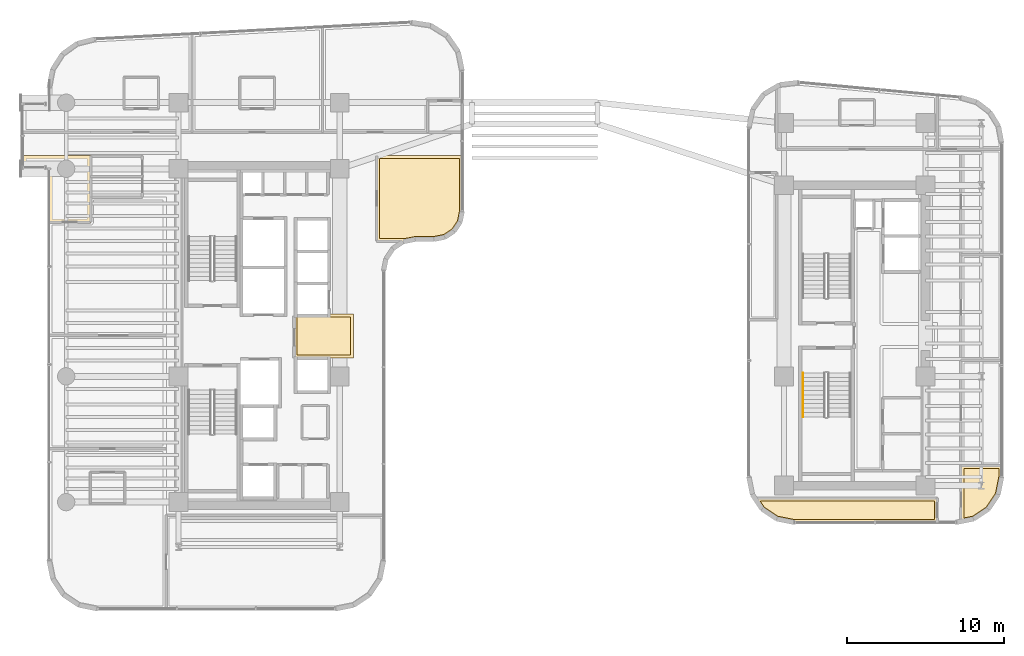
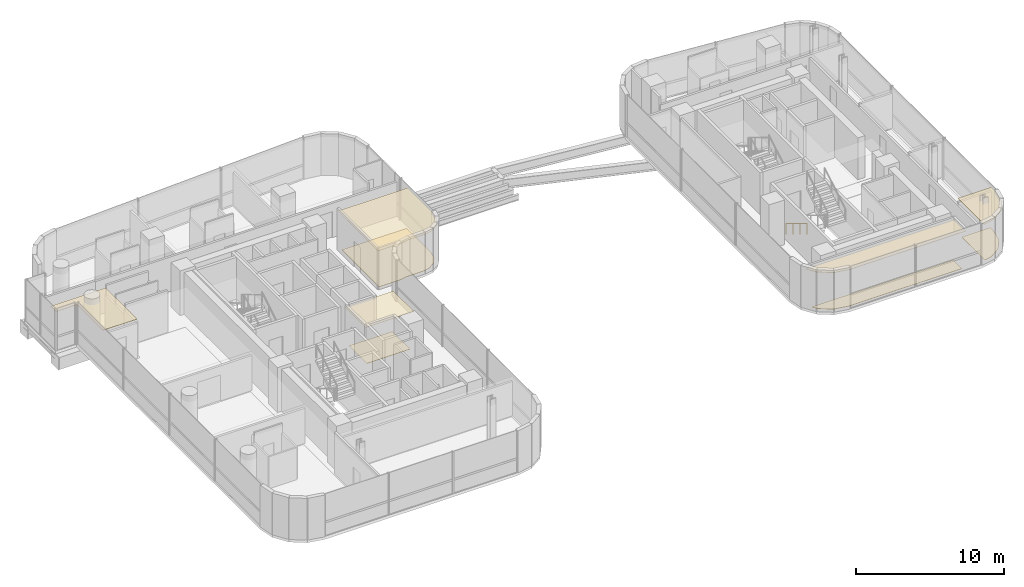
# One storey, part 34 of 36: 9 coverings, 1 railing.
"""IFC4 building model written with IfcOpenShell, lengths in metres."""

from ifc_helpers import new_model, si_unit, direction, frame, origin, origin_2d, place, context, subcontext, project, spatial, polyline, circle, outline, extrude, material, layer, layer_set, type_object, element, save


model = new_model("IFC4")

# Units and contexts
model_context = context("Model", 3, precision=1e-05, world=origin(), true_north=direction((0.0, 1.0)))
body_context = subcontext(model_context, "Body", "Model", "MODEL_VIEW")
ifc_project = project(units=[si_unit("LENGTHUNIT", "METRE"), si_unit("AREAUNIT", "SQUARE_METRE"), si_unit("VOLUMEUNIT", "CUBIC_METRE"), si_unit("PLANEANGLEUNIT", "RADIAN"), si_unit("MASSUNIT", "GRAM", prefix="KILO")], contexts=[model_context])

# Site, building, storey
site_placement = place(None, origin())
site = spatial("IfcSite", under=ifc_project, at=site_placement, CompositionType="ELEMENT")
building_placement = place(site_placement, origin())
building = spatial("IfcBuilding", under=site, at=building_placement, Name="Valdorenza Pilgrim Sanctuary Tower", CompositionType="ELEMENT")
storey_placement = place(building_placement, frame((0.0, 0.0, 153.800048828125)))
storey = spatial("IfcBuildingStorey", under=building, at=storey_placement, Name="L39", CompositionType="ELEMENT", Elevation=153.800048828125)

# Coverings
ifc_material_1 = material(Name="Micro-perforated acoustic mineral ceiling tile", Category="gypsum")
ifc_layer_1 = layer(ifc_material_1, 0.02490234375, Name="Micro-perforated acoustic mineral ceiling tile")
ifc_layer_set_1 = layer_set([ifc_layer_1], Name="Micro-perforated acoustic mineral ceiling tile")
covering_type_1 = type_object("IfcCoveringType", Name="COV-CLG-ACU", PredefinedType="CEILING", material=ifc_layer_set_1)
covering_1_placement = place(storey_placement, frame((0.0, 0.0, 3.159912109375)))
element("IfcCovering", 1, at=covering_1_placement, inside=storey, type_object=covering_type_1, Name="L39 Core A Passenger Lift Lobby Acoustic Ceiling", PredefinedType="CEILING", context=body_context, shape_type="SweptSolid", body=[
    extrude(outline(polyline([(-15.31298828125, 1.244384765625), (-15.31298828125, 1.24462890625), (-15.313720703125, 1.24609375), (-15.314208984375, 1.24755859375), (-15.314697265625, 1.2490234375), (-15.31494140625, 1.25048828125), (-15.31494140625, 1.251953125), (-15.31494140625, 1.35009765625), (-15.31494140625, 1.3515625), (-15.314697265625, 1.352783203125), (-15.314453125, 1.3544921875), (-15.31396484375, 1.355712890625), (-15.313232421875, 1.357177734375), (-15.3125, 1.3583984375), (-15.3115234375, 1.359619140625), (-15.310546875, 1.360595703125), (-15.3095703125, 1.361572265625), (-15.308349609375, 1.362548828125), (-15.30712890625, 1.36328125), (-15.3056640625, 1.364013671875), (-15.304443359375, 1.364501953125), (-15.302978515625, 1.36474609375), (-15.301513671875, 1.364990234375), (-15.300048828125, 1.364990234375), (-15.10205078125, 1.364990234375), (-15.1005859375, 1.364990234375), (-15.09912109375, 1.36474609375), (-15.097412109375, 1.3642578125), (-15.09619140625, 1.36376953125), (-15.0947265625, 1.363037109375), (-15.094482421875, 1.363037109375), (-13.185546875, 1.363037109375), (-13.185302734375, 1.363037109375), (-13.183837890625, 1.36376953125), (-13.1826171875, 1.3642578125), (-13.180908203125, 1.36474609375), (-13.179443359375, 1.364990234375), (-13.177978515625, 1.364990234375), (-11.550048828125, 1.364990234375), (-11.548583984375, 1.364990234375), (-11.547119140625, 1.36474609375), (-11.545654296875, 1.364501953125), (-11.544189453125, 1.364013671875), (-11.54296875, 1.36328125), (-11.541748046875, 1.362548828125), (-11.54052734375, 1.361572265625), (-11.539306640625, 1.360595703125), (-11.538330078125, 1.359619140625), (-11.53759765625, 1.3583984375), (-11.536865234375, 1.357177734375), (-11.5361328125, 1.355712890625), (-11.53564453125, 1.3544921875), (-11.535400390625, 1.352783203125), (-11.53515625, 1.3515625), (-11.534912109375, 1.35009765625), (-11.534912109375, -1.419921875), (-11.53515625, -1.42138671875), (-11.535400390625, -1.4228515625), (-11.53564453125, -1.42431640625), (-11.5361328125, -1.42578125), (-11.536865234375, -1.427001953125), (-11.53759765625, -1.42822265625), (-11.538330078125, -1.429443359375), (-11.539306640625, -1.4306640625), (-11.54052734375, -1.431640625), (-11.541748046875, -1.4326171875), (-11.54296875, -1.43310546875), (-11.544189453125, -1.433837890625), (-11.545654296875, -1.434326171875), (-11.547119140625, -1.434814453125), (-11.548583984375, -1.434814453125), (-11.550048828125, -1.43505859375), (-15.298095703125, -1.43505859375), (-15.299560546875, -1.434814453125), (-15.30078125, -1.434814453125), (-15.302490234375, -1.434326171875), (-15.3037109375, -1.433837890625), (-15.30517578125, -1.43310546875), (-15.306396484375, -1.4326171875), (-15.3076171875, -1.431640625), (-15.30859375, -1.4306640625), (-15.3095703125, -1.429443359375), (-15.310546875, -1.42822265625), (-15.311279296875, -1.427001953125), (-15.31201171875, -1.42578125), (-15.3125, -1.42431640625), (-15.312744140625, -1.4228515625), (-15.31298828125, -1.42138671875), (-15.31298828125, -1.419921875), (-15.31298828125, 1.244384765625)])), origin(), (0.0, 0.0, 1.0), 0.025146484375),
])
covering_2_placement = place(storey_placement, frame((0.0, 0.0, 3.159912109375)))
element("IfcCovering", 2, at=covering_2_placement, inside=storey, type_object=covering_type_1, Name="L39 Pastoral Scholar Office L39-CN1 Acoustic Ceiling", PredefinedType="CEILING", context=body_context, shape_type="SweptSolid", body=[
    extrude(outline(polyline([(-28.237060546875, 8.805419921875), (-28.23681640625, 8.805419921875), (-28.236083984375, 8.803955078125), (-28.235595703125, 8.802490234375), (-28.2353515625, 8.801025390625), (-28.235107421875, 8.799560546875), (-28.235107421875, 8.798095703125), (-28.235107421875, 7.199951171875), (-28.235107421875, 7.198486328125), (-28.2353515625, 7.197021484375), (-28.235595703125, 7.195556640625), (-28.236083984375, 7.1943359375), (-28.23681640625, 7.19287109375), (-28.237548828125, 7.191650390625), (-28.23828125, 7.1904296875), (-28.239501953125, 7.189453125), (-28.240478515625, 7.1884765625), (-28.24169921875, 7.1875), (-28.242919921875, 7.186767578125), (-28.244384765625, 7.18603515625), (-28.24560546875, 7.185546875), (-28.2470703125, 7.185302734375), (-28.24853515625, 7.18505859375), (-28.25, 7.18505859375), (-30.889892578125, 7.18505859375), (-30.8916015625, 7.18505859375), (-30.892822265625, 7.185302734375), (-30.894287109375, 7.185546875), (-30.895751953125, 7.18603515625), (-30.897216796875, 7.186767578125), (-30.898193359375, 7.1875), (-30.8994140625, 7.1884765625), (-30.900634765625, 7.189453125), (-30.901611328125, 7.1904296875), (-30.902587890625, 7.191650390625), (-30.9033203125, 7.19287109375), (-30.90380859375, 7.1943359375), (-30.904296875, 7.195556640625), (-30.90478515625, 7.197021484375), (-30.90478515625, 7.198486328125), (-30.905029296875, 7.199951171875), (-30.905029296875, 10.599609375), (-30.905517578125, 10.609375), (-30.90673828125, 10.618408203125), (-30.9091796875, 10.627685546875), (-30.912109375, 10.63623046875), (-30.916259765625, 10.644775390625), (-30.9208984375, 10.65283203125), (-30.926513671875, 10.660400390625), (-30.932861328125, 10.667236328125), (-30.939697265625, 10.67333984375), (-30.947265625, 10.678955078125), (-30.955078125, 10.683837890625), (-30.963623046875, 10.687744140625), (-30.972412109375, 10.69091796875), (-30.9814453125, 10.693115234375), (-30.99072265625, 10.694580078125), (-31.00048828125, 10.695068359375), (-32.5400390625, 10.695068359375), (-32.54150390625, 10.695068359375), (-32.54296875, 10.6953125), (-32.54443359375, 10.695556640625), (-32.545654296875, 10.696044921875), (-32.547119140625, 10.69677734375), (-32.54833984375, 10.697509765625), (-32.549560546875, 10.698486328125), (-32.550537109375, 10.699462890625), (-32.551513671875, 10.700439453125), (-32.552490234375, 10.70166015625), (-32.55322265625, 10.702880859375), (-32.553955078125, 10.704345703125), (-32.554443359375, 10.70556640625), (-32.5546875, 10.70703125), (-32.554931640625, 10.70849609375), (-32.554931640625, 10.7099609375), (-32.554931640625, 11.419921875), (-32.554931640625, 11.42138671875), (-32.5546875, 11.4228515625), (-32.554443359375, 11.42431640625), (-32.553955078125, 11.42578125), (-32.55322265625, 11.427001953125), (-32.552490234375, 11.42822265625), (-32.551513671875, 11.429443359375), (-32.550537109375, 11.4306640625), (-32.549560546875, 11.431640625), (-32.54833984375, 11.4326171875), (-32.547119140625, 11.43310546875), (-32.545654296875, 11.433837890625), (-32.54443359375, 11.434326171875), (-32.54296875, 11.434814453125), (-32.54150390625, 11.434814453125), (-32.5400390625, 11.43505859375), (-28.25, 11.43505859375), (-28.24853515625, 11.434814453125), (-28.2470703125, 11.434814453125), (-28.24560546875, 11.434326171875), (-28.244384765625, 11.433837890625), (-28.242919921875, 11.43310546875), (-28.24169921875, 11.4326171875), (-28.240478515625, 11.431640625), (-28.239501953125, 11.4306640625), (-28.23828125, 11.429443359375), (-28.237548828125, 11.42822265625), (-28.23681640625, 11.427001953125), (-28.236083984375, 11.42578125), (-28.235595703125, 11.42431640625), (-28.2353515625, 11.4228515625), (-28.235107421875, 11.42138671875), (-28.235107421875, 11.419921875), (-28.235107421875, 11.402099609375), (-28.235107421875, 11.400390625), (-28.2353515625, 11.39892578125), (-28.235595703125, 11.3974609375), (-28.236083984375, 11.39599609375), (-28.23681640625, 11.394775390625), (-28.237060546875, 11.39453125), (-28.237060546875, 10.103759765625), (-28.23681640625, 10.10302734375), (-28.23681640625, 10.1015625), (-28.23681640625, 10.10009765625), (-28.23681640625, 10.098388671875), (-28.237060546875, 10.09814453125), (-28.237060546875, 8.805419921875)])), origin(), (0.0, 0.0, 1.0), 0.025146484375),
])
covering_3_placement = place(storey_placement, frame((0.0, 0.0, 3.159912109375)))
element("IfcCovering", 3, at=covering_3_placement, inside=storey, type_object=covering_type_1, Name="L39 Sacred Art Exhibition Gallery L39-E1 Acoustic Ceiling", PredefinedType="CEILING", context=body_context, shape_type="SweptSolid", body=[
    extrude(outline(polyline([(-10.06494140625, 11.419921875), (-10.06494140625, 11.42138671875), (-10.064697265625, 11.4228515625), (-10.064453125, 11.42431640625), (-10.06396484375, 11.42578125), (-10.063232421875, 11.427001953125), (-10.0625, 11.42822265625), (-10.0615234375, 11.429443359375), (-10.060546875, 11.4306640625), (-10.0595703125, 11.431640625), (-10.058349609375, 11.4326171875), (-10.05712890625, 11.43310546875), (-10.0556640625, 11.433837890625), (-10.054443359375, 11.434326171875), (-10.052978515625, 11.434814453125), (-10.051513671875, 11.434814453125), (-10.050048828125, 11.43505859375), (-4.610107421875, 11.43505859375), (-4.6083984375, 11.434814453125), (-4.607177734375, 11.434814453125), (-4.605712890625, 11.434326171875), (-4.604248046875, 11.433837890625), (-4.602783203125, 11.43310546875), (-4.601806640625, 11.4326171875), (-4.6005859375, 11.431640625), (-4.599365234375, 11.4306640625), (-4.598388671875, 11.429443359375), (-4.597412109375, 11.42822265625), (-4.5966796875, 11.427001953125), (-4.59619140625, 11.42578125), (-4.595703125, 11.42431640625), (-4.59521484375, 11.4228515625), (-4.59521484375, 11.42138671875), (-4.594970703125, 11.419921875), (-4.594970703125, 7.910888671875), (-4.59521484375, 7.909423828125), (-4.59521484375, 7.907958984375), (-4.7333984375, 7.212890625), (-4.73388671875, 7.21142578125), (-4.734375, 7.210205078125), (-4.735107421875, 7.208740234375), (-4.735595703125, 7.20751953125), (-5.123291015625, 6.62744140625), (-5.124267578125, 6.626220703125), (-5.125244140625, 6.625244140625), (-5.126220703125, 6.624267578125), (-5.12744140625, 6.623291015625), (-5.70751953125, 6.235595703125), (-5.708740234375, 6.235107421875), (-5.710205078125, 6.234375), (-5.71142578125, 6.23388671875), (-5.712890625, 6.2333984375), (-6.407958984375, 6.09521484375), (-6.409423828125, 6.09521484375), (-6.410888671875, 6.094970703125), (-7.599609375, 6.094970703125), (-7.609375, 6.094482421875), (-7.618896484375, 6.093017578125), (-8.160888671875, 5.9853515625), (-8.16259765625, 5.985107421875), (-8.1640625, 5.985107421875), (-10.050048828125, 5.985107421875), (-10.051513671875, 5.985107421875), (-10.052978515625, 5.9853515625), (-10.054443359375, 5.985595703125), (-10.0556640625, 5.986083984375), (-10.05712890625, 5.98681640625), (-10.058349609375, 5.987548828125), (-10.0595703125, 5.98828125), (-10.060546875, 5.989501953125), (-10.0615234375, 5.990478515625), (-10.0625, 5.99169921875), (-10.063232421875, 5.992919921875), (-10.06396484375, 5.994384765625), (-10.064453125, 5.99560546875), (-10.064697265625, 5.9970703125), (-10.06494140625, 5.99853515625), (-10.06494140625, 6.0), (-10.06494140625, 11.419921875)])), origin(), (0.0, 0.0, 1.0), 0.025146484375),
])
covering_4_placement = place(storey_placement, frame((0.0, 0.0, 3.159912109375)))
element("IfcCovering", 4, at=covering_4_placement, inside=storey, type_object=covering_type_1, Name="L39 Sacred Manuscript Archive L39-BS Acoustic Ceiling", PredefinedType="CEILING", context=body_context, shape_type="SweptSolid", body=[
    extrude(outline(polyline([(25.614990234375, -11.889892578125), (25.614990234375, -11.8916015625), (25.61474609375, -11.892822265625), (25.614501953125, -11.894287109375), (25.614013671875, -11.895751953125), (25.61328125, -11.897216796875), (25.612548828125, -11.898193359375), (25.611572265625, -11.8994140625), (25.610595703125, -11.900634765625), (25.609619140625, -11.901611328125), (25.6083984375, -11.902587890625), (25.607177734375, -11.9033203125), (25.605712890625, -11.90380859375), (25.6044921875, -11.904296875), (25.602783203125, -11.90478515625), (25.6015625, -11.90478515625), (25.60009765625, -11.905029296875), (16.5107421875, -11.905029296875), (16.509521484375, -11.90478515625), (16.5078125, -11.90478515625), (15.391845703125, -11.6826171875), (15.390380859375, -11.682373046875), (15.38916015625, -11.681884765625), (15.3876953125, -11.68115234375), (15.386474609375, -11.680419921875), (14.44970703125, -11.054443359375), (14.448486328125, -11.0537109375), (14.447509765625, -11.052490234375), (14.4462890625, -11.051513671875), (14.445556640625, -11.05029296875), (13.983154296875, -10.3583984375), (13.982421875, -10.357177734375), (13.981689453125, -10.355712890625), (13.981201171875, -10.3544921875), (13.98095703125, -10.352783203125), (13.980712890625, -10.3515625), (13.980712890625, -10.35009765625), (13.980712890625, -10.348388671875), (13.98095703125, -10.34716796875), (13.981201171875, -10.345703125), (13.981689453125, -10.34423828125), (13.982421875, -10.343017578125), (13.983154296875, -10.341796875), (13.98388671875, -10.340576171875), (13.985107421875, -10.33935546875), (13.986083984375, -10.33837890625), (13.9873046875, -10.33740234375), (13.988525390625, -10.3369140625), (13.989990234375, -10.336181640625), (13.9912109375, -10.335693359375), (13.99267578125, -10.335205078125), (13.994140625, -10.335205078125), (13.99560546875, -10.3349609375), (25.60009765625, -10.3349609375), (25.6015625, -10.335205078125), (25.602783203125, -10.335205078125), (25.6044921875, -10.335693359375), (25.605712890625, -10.336181640625), (25.607177734375, -10.3369140625), (25.6083984375, -10.33740234375), (25.609619140625, -10.33837890625), (25.610595703125, -10.33935546875), (25.611572265625, -10.340576171875), (25.612548828125, -10.341796875), (25.61328125, -10.343017578125), (25.614013671875, -10.34423828125), (25.614501953125, -10.345703125), (25.61474609375, -10.34716796875), (25.614990234375, -10.348388671875), (25.614990234375, -10.35009765625), (25.614990234375, -11.889892578125)])), origin(), (0.0, 0.0, 1.0), 0.025146484375),
])
covering_5_placement = place(storey_placement, frame((0.0, 0.0, 3.159912109375)))
element("IfcCovering", 5, at=covering_5_placement, inside=storey, type_object=covering_type_1, Name="L39 East Sanctuary Scholar Office L39-EG1 Acoustic Ceiling", PredefinedType="CEILING", context=body_context, shape_type="SweptSolid", body=[
    extrude(outline(polyline([(29.482666015625, -10.108154296875), (29.482421875, -10.109619140625), (29.481689453125, -10.11083984375), (29.481201171875, -10.1123046875), (29.48046875, -10.113525390625), (28.8544921875, -11.05029296875), (28.853515625, -11.051513671875), (28.8525390625, -11.052490234375), (28.8515625, -11.0537109375), (28.850341796875, -11.054443359375), (27.91357421875, -11.680419921875), (27.912109375, -11.68115234375), (27.910888671875, -11.681884765625), (27.909423828125, -11.682373046875), (27.908203125, -11.6826171875), (27.102783203125, -11.843017578125), (27.1015625, -11.843017578125), (27.10009765625, -11.84326171875), (27.098388671875, -11.843017578125), (27.09716796875, -11.843017578125), (27.095703125, -11.842529296875), (27.09423828125, -11.842041015625), (27.093017578125, -11.84130859375), (27.091796875, -11.840576171875), (27.090576171875, -11.83984375), (27.08935546875, -11.8388671875), (27.08837890625, -11.837646484375), (27.08740234375, -11.83642578125), (27.0869140625, -11.835205078125), (27.086181640625, -11.833984375), (27.085693359375, -11.83251953125), (27.085205078125, -11.8310546875), (27.085205078125, -11.82958984375), (27.0849609375, -11.828125), (27.0849609375, -8.287109375), (27.085205078125, -8.285400390625), (27.085205078125, -8.2841796875), (27.085693359375, -8.28271484375), (27.086181640625, -8.28125), (27.0869140625, -8.27978515625), (27.08740234375, -8.27880859375), (27.08837890625, -8.277587890625), (27.08935546875, -8.2763671875), (27.090576171875, -8.275390625), (27.091796875, -8.2744140625), (27.093017578125, -8.273681640625), (27.09423828125, -8.273193359375), (27.095703125, -8.272705078125), (27.09716796875, -8.272216796875), (27.098388671875, -8.272216796875), (27.10009765625, -8.27197265625), (29.68994140625, -8.27197265625), (29.69140625, -8.272216796875), (29.69287109375, -8.272216796875), (29.6943359375, -8.272705078125), (29.69580078125, -8.273193359375), (29.697021484375, -8.273681640625), (29.6982421875, -8.2744140625), (29.699462890625, -8.275390625), (29.70068359375, -8.2763671875), (29.70166015625, -8.277587890625), (29.702392578125, -8.27880859375), (29.703125, -8.27978515625), (29.703857421875, -8.28125), (29.704345703125, -8.28271484375), (29.70458984375, -8.2841796875), (29.704833984375, -8.285400390625), (29.705078125, -8.287109375), (29.705078125, -8.9892578125), (29.704833984375, -8.990478515625), (29.70458984375, -8.9921875), (29.482666015625, -10.108154296875)])), origin(), (0.0, 0.0, 1.0), 0.025146484375),
])
ifc_material_2 = material(Name="Honed travertine stone flooring", Category="masonry")
ifc_layer_2 = layer(ifc_material_2, 0.030029296875, Name="Honed travertine stone flooring")
ifc_layer_set_2 = layer_set([ifc_layer_2], Name="Honed travertine stone flooring")
covering_type_2 = type_object("IfcCoveringType", Name="COV-FLR-TRV", PredefinedType="FLOORING", material=ifc_layer_set_2)
covering_6_placement = place(storey_placement, origin())
element("IfcCovering", 6, at=covering_6_placement, inside=storey, type_object=covering_type_2, Name="L39 Core A Passenger Lift Lobby Flooring", PredefinedType="FLOORING", context=body_context, shape_type="SweptSolid", body=[
    extrude(outline(polyline([(-15.117919921875, 1.169189453125), (-15.10888671875, 1.168212890625), (-15.10888671875, 1.168212890625), (-15.10009765625, 1.16796875), (-13.179931640625, 1.16796875), (-13.1796875, 1.16796875), (-11.72998046875, 1.169921875), (-11.72998046875, -1.239990234375), (-15.117919921875, -1.239990234375), (-15.117919921875, 1.169189453125)])), origin(), (0.0, 0.0, 1.0), 0.02490234375),
])
covering_7_placement = place(storey_placement, origin())
element("IfcCovering", 7, at=covering_7_placement, inside=storey, type_object=covering_type_2, Name="L39 Sacred Art Exhibition Gallery L39-E1 Flooring", PredefinedType="FLOORING", context=body_context, shape_type="SweptSolid", body=[
    extrude(outline(polyline([(-9.8701171875, 11.239990234375), (-4.7900390625, 11.239990234375), (-4.7900390625, 7.9287109375), (-4.917724609375, 7.2861328125), (-5.265625, 6.765625), (-5.7861328125, 6.417724609375), (-6.4287109375, 6.2900390625), (-7.60009765625, 6.2900390625), (-7.60888671875, 6.289794921875), (-7.61962890625, 6.289306640625), (-7.63720703125, 6.28759765625), (-7.64794921875, 6.285888671875), (-7.656494140625, 6.284423828125), (-8.181640625, 6.179931640625), (-9.8701171875, 6.179931640625), (-9.8701171875, 11.239990234375)])), origin(), (0.0, 0.0, 1.0), 0.02490234375),
])
covering_8_placement = place(storey_placement, origin())
element("IfcCovering", 8, at=covering_8_placement, inside=storey, type_object=covering_type_2, Name="L39 Sacred Manuscript Archive L39-BS Flooring", PredefinedType="FLOORING", context=body_context, shape_type="SweptSolid", body=[
    extrude(outline(polyline([(25.419921875, -11.7099609375), (16.528564453125, -11.7099609375), (15.465087890625, -11.498291015625), (14.587890625, -10.912109375), (14.33251953125, -10.530029296875), (25.419921875, -10.530029296875), (25.419921875, -11.7099609375)])), origin(), (0.0, 0.0, 1.0), 0.02490234375),
])
covering_9_placement = place(storey_placement, origin())
element("IfcCovering", 9, at=covering_9_placement, inside=storey, type_object=covering_type_2, Name="L39 East Sanctuary Scholar Office L39-EG1 Flooring", PredefinedType="FLOORING", context=body_context, shape_type="SweptSolid", body=[
    extrude(outline(polyline([(29.29833984375, -10.034912109375), (28.712158203125, -10.912109375), (27.8349609375, -11.498291015625), (27.280029296875, -11.60888671875), (27.280029296875, -8.467041015625), (29.510009765625, -8.467041015625), (29.510009765625, -8.971435546875), (29.29833984375, -10.034912109375)])), origin(), (0.0, 0.0, 1.0), 0.02490234375),
])

# Railing
ifc_material_3 = material(Name="Brushed stainless steel Grade 316", Category="steel")
railing_type = type_object("IfcRailingType", Name="RLG-HND-920", PredefinedType="HANDRAIL", material=ifc_material_3)
railing_placement = place(storey_placement, frame((17.050048828125, -2.3798828125, 0.168212890625)))
element("IfcRailing", 10, at=railing_placement, inside=storey, type_object=railing_type, Name="L39 ST-B2 stair handrail 1", PredefinedType="HANDRAIL", context=body_context, shape_type="SweptSolid", body=[
    extrude(circle(Radius=0.02392578125, at=origin_2d()), frame((0.0, 0.0, 0.8759765625), z_axis=(0.0, -0.857275202839, 0.514858452973), x_axis=(1.0, 0.0, 0.0)), (0.0, 0.0, 1.0), 3.26611328125),
    extrude(circle(Radius=0.02099609375, at=origin_2d()), origin(), (0.0, 0.0, 1.0), 0.851806640625),
    extrude(circle(Radius=0.02099609375, at=origin_2d()), frame((0.0, -0.933349609375, 0.560546875)), (0.0, 0.0, 1.0), 0.851806640625),
    extrude(circle(Radius=0.02099609375, at=origin_2d()), frame((0.0, -1.86669921875, 1.12109375)), (0.0, 0.0, 1.0), 0.851806640625),
    extrude(circle(Radius=0.02099609375, at=origin_2d()), frame((0.0, -2.800048828125, 1.681640625)), (0.0, 0.0, 1.0), 0.851806640625),
])

save(model, "model.ifc")
